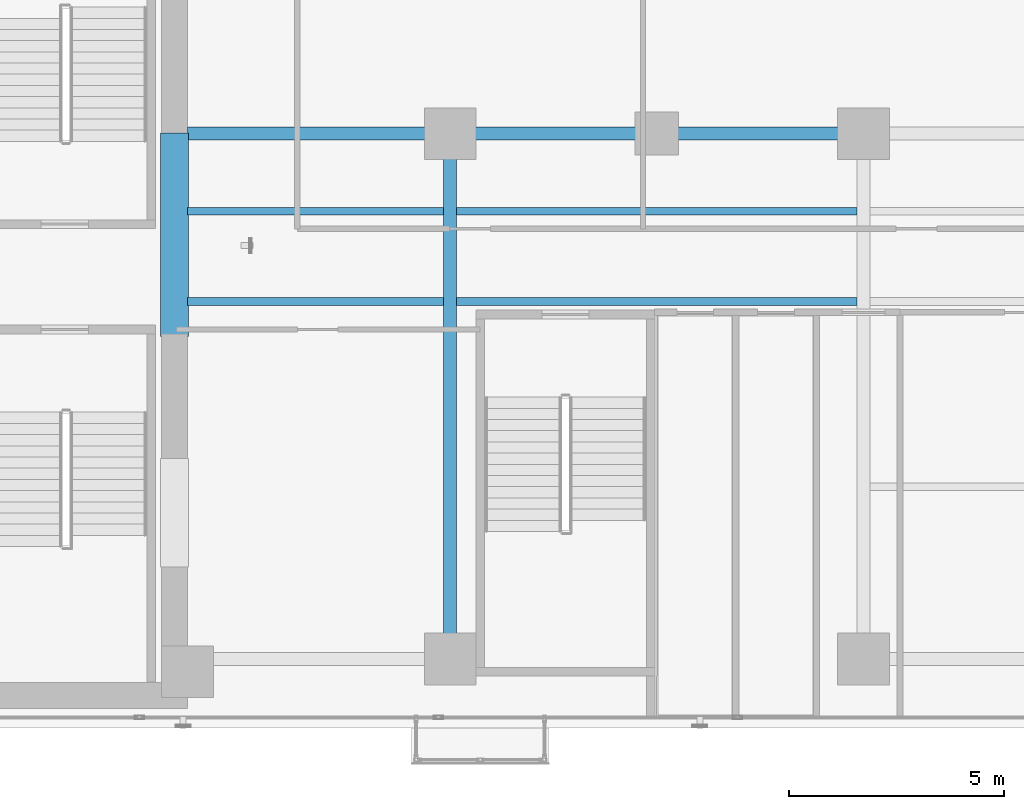
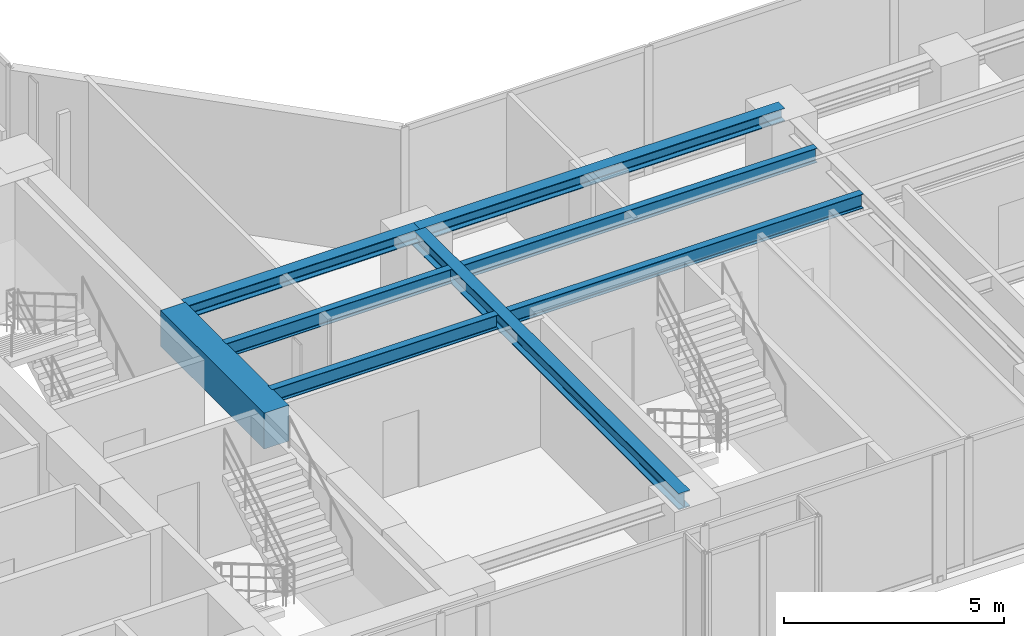
# One storey, part 5 of 24: 8 beams.
"""IFC4 building model written with IfcOpenShell, lengths in metres."""

from ifc_helpers import new_model, si_unit, direction, frame, origin, origin_2d, place, context, subcontext, project, spatial, rectangle, i_section, extrude, material, material_profile, profile_set, type_object, element, save


model = new_model("IFC4")

# Units and contexts
model_context = context("Model", 3, precision=1e-05, world=origin(), true_north=direction((0.0, 1.0)))
body_context = subcontext(model_context, "Body", "Model", "MODEL_VIEW")
ifc_project = project(units=[si_unit("LENGTHUNIT", "METRE"), si_unit("AREAUNIT", "SQUARE_METRE"), si_unit("VOLUMEUNIT", "CUBIC_METRE"), si_unit("PLANEANGLEUNIT", "RADIAN"), si_unit("MASSUNIT", "GRAM", prefix="KILO")], contexts=[model_context])

# Site, building, storey
site_placement = place(None, origin())
site = spatial("IfcSite", under=ifc_project, at=site_placement, CompositionType="ELEMENT")
building_placement = place(site_placement, origin())
building = spatial("IfcBuilding", under=site, at=building_placement, Name="Kolvaren Waterfront Exchange", CompositionType="ELEMENT")
storey_placement = place(building_placement, frame((0.0, 0.0, 169.0)))
storey = spatial("IfcBuildingStorey", under=building, at=storey_placement, Name="L43", CompositionType="ELEMENT", Elevation=169.0)

# Beams
ifc_material_1 = material(Name="Steel S355", Category="steel")
ifc_material_profile_1 = material_profile(ifc_material_1, i_section(OverallWidth=0.300048828125, OverallDepth=0.360107421875, WebThickness=0.012451171875, FlangeThickness=0.0224609375, FilletRadius=0.027099609375, at=origin_2d()), Name="HEB360")
ifc_profile_set_1 = profile_set([ifc_material_profile_1], Name="Steel S355")
beam_type_1 = type_object("IfcBeamType", Name="STR-BM-HEB360", PredefinedType="SPANDREL", material=ifc_profile_set_1)
beam_1_placement = place(storey_placement, frame((21.10009765625, 17.39990234375, 3.3798828125), z_axis=(1.0, 0.0, 0.0), x_axis=(0.0, 1.0, 0.0)))
element("IfcBeam", 1, at=beam_1_placement, inside=storey, type_object=beam_type_1, Name="L43 east-arm spandrel N1", PredefinedType="SPANDREL", context=body_context, shape_type="SweptSolid", body=[
    extrude(i_section(OverallWidth=0.300048828125, OverallDepth=0.360107421875, WebThickness=0.012451171875, FlangeThickness=0.0224609375, FilletRadius=0.027099609375, at=origin_2d()), origin(), (0.0, 0.0, 1.0), 6.099853515625),
])
beam_2_placement = place(storey_placement, frame((27.199951171875, 17.39990234375, 3.3798828125), z_axis=(1.0, 0.0, 0.0), x_axis=(0.0, 1.0, 0.0)))
element("IfcBeam", 2, at=beam_2_placement, inside=storey, type_object=beam_type_1, Name="L43 east-arm spandrel N2", PredefinedType="SPANDREL", context=body_context, shape_type="SweptSolid", body=[
    extrude(i_section(OverallWidth=0.300048828125, OverallDepth=0.360107421875, WebThickness=0.012451171875, FlangeThickness=0.0224609375, FilletRadius=0.027099609375, at=origin_2d()), origin(), (0.0, 0.0, 1.0), 9.60009765625),
])
ifc_material_profile_2 = material_profile(ifc_material_1, i_section(OverallWidth=0.300048828125, OverallDepth=0.449951171875, WebThickness=0.013916015625, FlangeThickness=0.02587890625, FilletRadius=0.027099609375, at=origin_2d()), Name="HEB450")
ifc_profile_set_2 = profile_set([ifc_material_profile_2], Name="Steel S355")
beam_type_2 = type_object("IfcBeamType", Name="STR-BM-HEB450", PredefinedType="BEAM", material=ifc_profile_set_2)
beam_3_placement = place(storey_placement, frame((27.199951171875, 5.199951171875, 3.3349609375), z_axis=(0.0, 1.0, 0.0), x_axis=(-1.0, 0.0, 0.0)))
element("IfcBeam", 3, at=beam_3_placement, inside=storey, type_object=beam_type_2, Name="L43 east-arm transverse girder X27", PredefinedType="BEAM", context=body_context, shape_type="SweptSolid", body=[
    extrude(i_section(OverallWidth=0.300048828125, OverallDepth=0.449951171875, WebThickness=0.013916015625, FlangeThickness=0.02587890625, FilletRadius=0.027099609375, at=origin_2d()), origin(), (0.0, 0.0, 1.0), 12.199951171875),
])
ifc_material_profile_3 = material_profile(ifc_material_1, i_section(OverallWidth=0.179931640625, OverallDepth=0.39990234375, WebThickness=0.008544921875, FlangeThickness=0.013427734375, FilletRadius=0.02099609375, at=origin_2d()), Name="IPE400")
ifc_profile_set_3 = profile_set([ifc_material_profile_3], Name="Steel S355")
beam_type_3 = type_object("IfcBeamType", Name="STR-BM-IPE400", PredefinedType="JOIST", material=ifc_profile_set_3)
for number, where, z_axis, x_axis, name in (
    (4, (21.10009765625, 13.5, 3.360107421875), (1.0, 0.0, 0.0), (0.0, 1.0, 0.0), "L43 east-arm composite joist 1A"),
    (5, (21.10009765625, 15.60009765625, 3.360107421875), (1.0, 0.0, 0.0), (0.0, 1.0, 0.0), "L43 east-arm composite joist 1C"),
):
    element("IfcBeam", number, at=place(storey_placement, frame(where, z_axis=z_axis, x_axis=x_axis)), inside=storey, type_object=beam_type_3, Name=name, PredefinedType="JOIST", context=body_context, shape_type="SweptSolid", body=[
        extrude(i_section(OverallWidth=0.179931640625, OverallDepth=0.39990234375, WebThickness=0.008544921875, FlangeThickness=0.013427734375, FilletRadius=0.02099609375, at=origin_2d()), origin(), (0.0, 0.0, 1.0), 5.947998046875),
    ])
for number, where, z_axis, x_axis, name in (
    (6, (27.35205078125, 13.5, 3.360107421875), (1.0, 0.0, 0.0), (0.0, 1.0, 0.0), "L43 east-arm composite joist 2A"),
    (7, (27.35205078125, 15.60009765625, 3.360107421875), (1.0, 0.0, 0.0), (0.0, 1.0, 0.0), "L43 east-arm composite joist 2C"),
):
    element("IfcBeam", number, at=place(storey_placement, frame(where, z_axis=z_axis, x_axis=x_axis)), inside=storey, type_object=beam_type_3, Name=name, PredefinedType="JOIST", context=body_context, shape_type="SweptSolid", body=[
        extrude(i_section(OverallWidth=0.179931640625, OverallDepth=0.39990234375, WebThickness=0.008544921875, FlangeThickness=0.013427734375, FilletRadius=0.02099609375, at=origin_2d()), origin(), (0.0, 0.0, 1.0), 9.2958984375),
    ])
ifc_material_2 = material(Name="Concrete C60/75", Category="concrete")
ifc_material_profile_4 = material_profile(ifc_material_2, rectangle(XDim=0.64990234375, YDim=1.0, at=origin_2d()), Name="RC-CB-1000x650")
ifc_profile_set_4 = profile_set([ifc_material_profile_4], Name="Concrete C60/75")
beam_type_4 = type_object("IfcBeamType", Name="STR-CB-1000", PredefinedType="SPANDREL", material=ifc_profile_set_4)
beam_4_placement = place(storey_placement, frame((20.800048828125, 12.68994140625, 3.06005859375), z_axis=(0.0, 1.0, 0.0), x_axis=(-1.0, 0.0, 0.0)))
element("IfcBeam", 8, at=beam_4_placement, inside=storey, type_object=beam_type_4, Name="L43 core coupling beam 2", PredefinedType="SPANDREL", context=body_context, shape_type="SweptSolid", body=[
    extrude(rectangle(XDim=0.64990234375, YDim=1.0, at=origin_2d()), origin(), (0.0, 0.0, 1.0), 4.719970703125),
])

save(model, "model.ifc")
